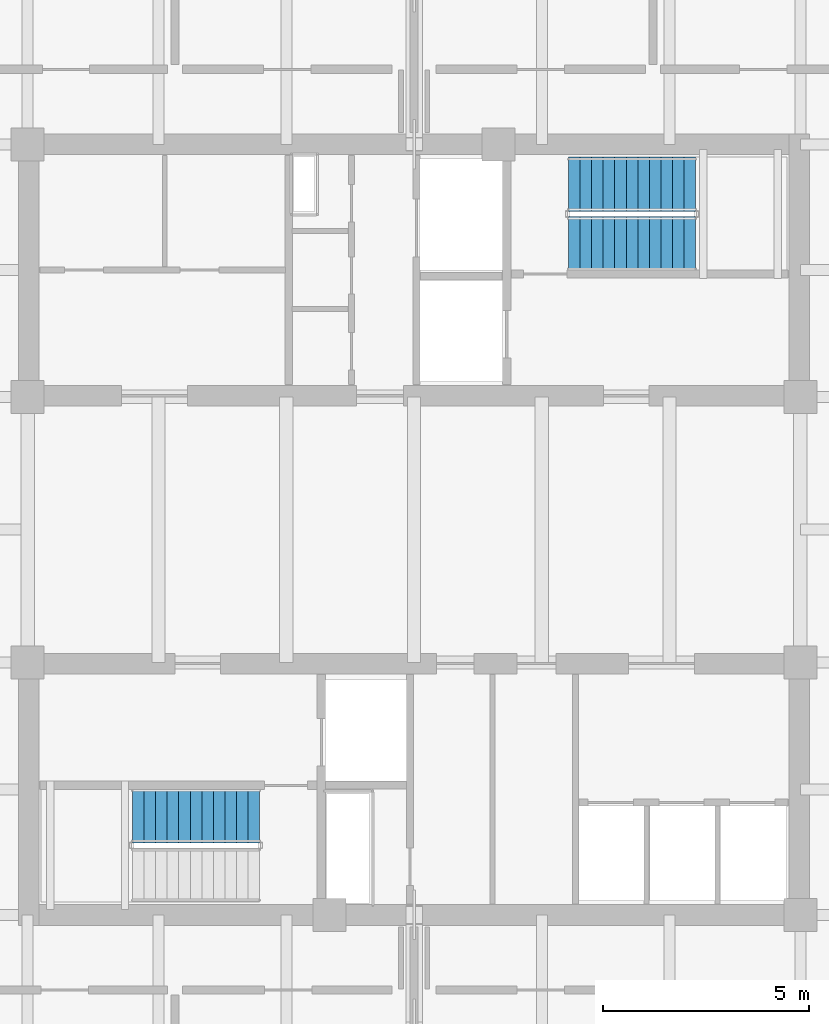
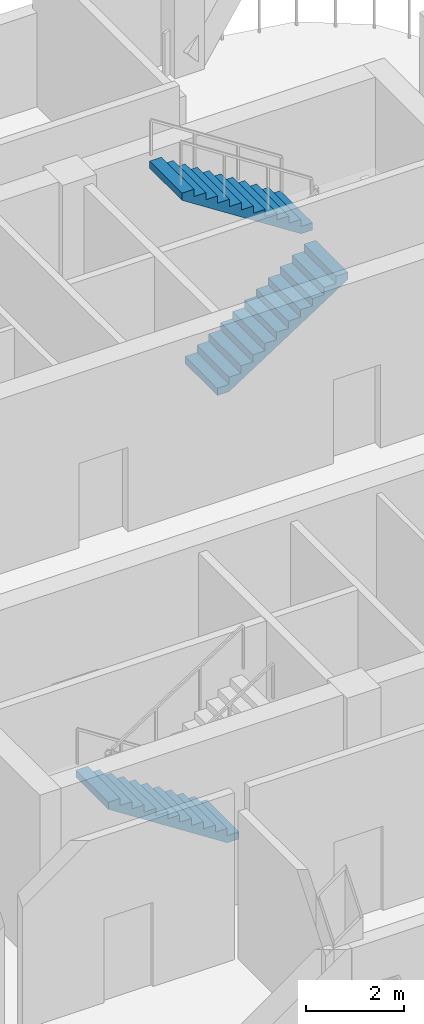
# One storey, part 6 of 9: 3 stair flights, 2 elements without a shape of their own.
"""IFC4 building model written with IfcOpenShell, lengths in metres."""

from ifc_helpers import new_model, si_unit, direction, frame, origin, place, context, subcontext, project, spatial, polyline, outline, extrude, material, type_object, element, aggregate, save


model = new_model("IFC4")

# Units and contexts
model_context = context("Model", 3, precision=1e-05, world=origin(), true_north=direction((0.0, 1.0)))
body_context = subcontext(model_context, "Body", "Model", "MODEL_VIEW")
ifc_project = project(units=[si_unit("LENGTHUNIT", "METRE"), si_unit("AREAUNIT", "SQUARE_METRE"), si_unit("VOLUMEUNIT", "CUBIC_METRE"), si_unit("PLANEANGLEUNIT", "RADIAN"), si_unit("MASSUNIT", "GRAM", prefix="KILO")], contexts=[model_context])

# Site, building, storey
site_placement = place(None, origin())
site = spatial("IfcSite", under=ifc_project, at=site_placement, CompositionType="ELEMENT")
building_placement = place(site_placement, origin())
building = spatial("IfcBuilding", under=site, at=building_placement, Name="Qhalaya Broadcast Tower", CompositionType="ELEMENT")
storey_placement = place(building_placement, frame((0.0, 0.0, 195.14990234375)))
storey = spatial("IfcBuildingStorey", under=building, at=storey_placement, Name="L57", CompositionType="ELEMENT", Elevation=195.14990234375)

# Stair, stair flights
ifc_material_1 = material(Name="Concrete C40/50", Category="concrete")
stair_type = type_object("IfcStairType", Name="Protected Dogleg Core Stair 4200", PredefinedType="TWO_STRAIGHT_RUN_STAIR", material=ifc_material_1)
stair_1_placement = place(storey_placement, origin())
stair_1 = element("IfcStair", 1, at=stair_1_placement, inside=storey, type_object=stair_type, Name="L57 North Core Exit Stair ST-1", PredefinedType="TWO_STRAIGHT_RUN_STAIR")
ifc_material_2 = material(Name="Precast Concrete C40/50", Category="concrete")
stair_flight_type = type_object("IfcStairFlightType", Name="Precast Concrete Stair Flight 4200", PredefinedType="STRAIGHT", material=ifc_material_2)
stair_flight_1_placement = place(storey_placement, frame((3.75, 7.5400390625, 0.0), z_axis=(0.0, 0.0, 1.0), x_axis=(1.0, 0.0, 0.0)))
stair_flight_1 = element("IfcStairFlight", 2, at=stair_flight_1_placement, type_object=stair_flight_type, Name="ST-1 flight 1", NumberOfRisers=12, NumberOfTreads=11, PredefinedType="STRAIGHT", RiserHeight=0.18125, TreadLength=0.28, context=body_context, shape_type="SweptSolid", body=[
    extrude(outline(polyline([(0.0, 0.0), (0.0, 0.18115234375), (0.280029296875, 0.18115234375), (0.280029296875, 0.362548828125), (0.56005859375, 0.362548828125), (0.56005859375, 0.543701171875), (0.840087890625, 0.543701171875), (0.840087890625, 0.72509765625), (1.1201171875, 0.72509765625), (1.1201171875, 0.90625), (1.39990234375, 0.90625), (1.39990234375, 1.08740234375), (1.679931640625, 1.08740234375), (1.679931640625, 1.268798828125), (1.9599609375, 1.268798828125), (1.9599609375, 1.449951171875), (2.239990234375, 1.449951171875), (2.239990234375, 1.63134765625), (2.52001953125, 1.63134765625), (2.52001953125, 1.8125), (2.800048828125, 1.8125), (2.800048828125, 1.99365234375), (3.080078125, 1.99365234375), (3.080078125, 2.175048828125), (3.080078125, 1.815185546875), (0.27587890625, 0.0), (0.0, 0.0)])), frame((0.0, 0.66015625, 0.0), z_axis=(0.0, -1.0, 0.0), x_axis=(1.0, 0.0, 0.0)), (0.0, 0.0, 1.0), 1.320068359375),
])
stair_flight_2_placement = place(storey_placement, frame((6.830078125, 8.97998046875, 2.175048828125), z_axis=(0.0, 0.0, 1.0), x_axis=(-1.0, 0.0, 0.0)))
stair_flight_2 = element("IfcStairFlight", 3, at=stair_flight_2_placement, type_object=stair_flight_type, Name="ST-1 flight 2", NumberOfRisers=12, NumberOfTreads=11, PredefinedType="STRAIGHT", RiserHeight=0.18125, TreadLength=0.28, context=body_context, shape_type="SweptSolid", body=[
    extrude(outline(polyline([(0.0, 0.0), (0.0, 0.18115234375), (0.280029296875, 0.18115234375), (0.280029296875, 0.362548828125), (0.56005859375, 0.362548828125), (0.56005859375, 0.543701171875), (0.840087890625, 0.543701171875), (0.840087890625, 0.72509765625), (1.1201171875, 0.72509765625), (1.1201171875, 0.90625), (1.39990234375, 0.90625), (1.39990234375, 1.08740234375), (1.679931640625, 1.08740234375), (1.679931640625, 1.268798828125), (1.9599609375, 1.268798828125), (1.9599609375, 1.449951171875), (2.239990234375, 1.449951171875), (2.239990234375, 1.63134765625), (2.52001953125, 1.63134765625), (2.52001953125, 1.8125), (2.800048828125, 1.8125), (2.800048828125, 1.99365234375), (3.080078125, 1.99365234375), (3.080078125, 2.175048828125), (3.080078125, 1.815185546875), (0.27587890625, 0.0), (0.0, 0.0)])), frame((0.0, 0.66015625, 0.0), z_axis=(0.0, -1.0, 0.0), x_axis=(1.0, 0.0, 0.0)), (0.0, 0.0, 1.0), 1.320068359375),
])
aggregate(stair_1, [stair_flight_1, stair_flight_2])

# Stair, stair flight
stair_2_placement = place(storey_placement, origin())
stair_2 = element("IfcStair", 4, at=stair_2_placement, inside=storey, type_object=stair_type, Name="L57 South Core Exit Stair ST-2", PredefinedType="TWO_STRAIGHT_RUN_STAIR")
stair_flight_3_placement = place(storey_placement, frame((-3.75, -6.340087890625, 0.0), z_axis=(0.0, 0.0, 1.0), x_axis=(-1.0, 0.0, 0.0)))
stair_flight_3 = element("IfcStairFlight", 5, at=stair_flight_3_placement, type_object=stair_flight_type, Name="ST-2 flight 1", NumberOfRisers=12, NumberOfTreads=11, PredefinedType="STRAIGHT", RiserHeight=0.18125, TreadLength=0.28, context=body_context, shape_type="SweptSolid", body=[
    extrude(outline(polyline([(0.0, 0.0), (0.0, 0.18115234375), (0.280029296875, 0.18115234375), (0.280029296875, 0.362548828125), (0.56005859375, 0.362548828125), (0.56005859375, 0.543701171875), (0.840087890625, 0.543701171875), (0.840087890625, 0.72509765625), (1.1201171875, 0.72509765625), (1.1201171875, 0.90625), (1.39990234375, 0.90625), (1.39990234375, 1.08740234375), (1.679931640625, 1.08740234375), (1.679931640625, 1.268798828125), (1.9599609375, 1.268798828125), (1.9599609375, 1.449951171875), (2.239990234375, 1.449951171875), (2.239990234375, 1.63134765625), (2.52001953125, 1.63134765625), (2.52001953125, 1.8125), (2.800048828125, 1.8125), (2.800048828125, 1.99365234375), (3.080078125, 1.99365234375), (3.080078125, 2.175048828125), (3.080078125, 1.815185546875), (0.27587890625, 0.0), (0.0, 0.0)])), frame((0.0, 0.66015625, 0.0), z_axis=(0.0, -1.0, 0.0), x_axis=(1.0, 0.0, 0.0)), (0.0, 0.0, 1.0), 1.320068359375),
])
aggregate(stair_2, [stair_flight_3])

save(model, "model.ifc")
